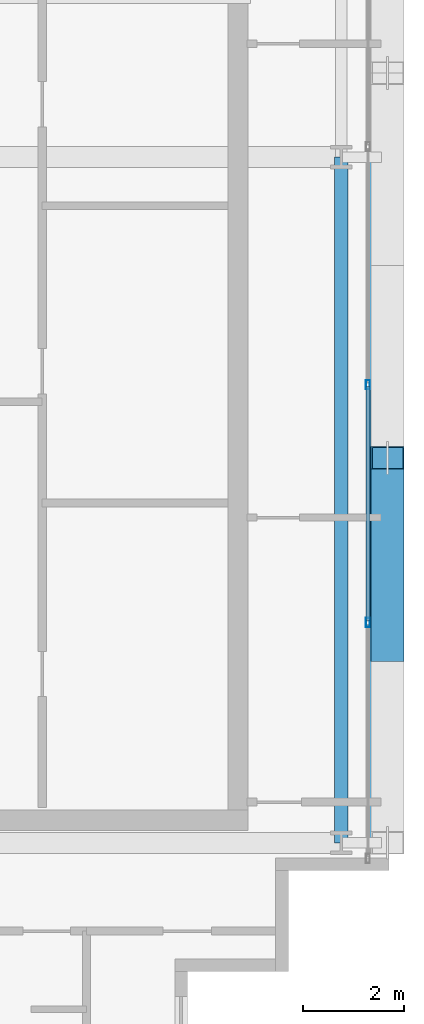
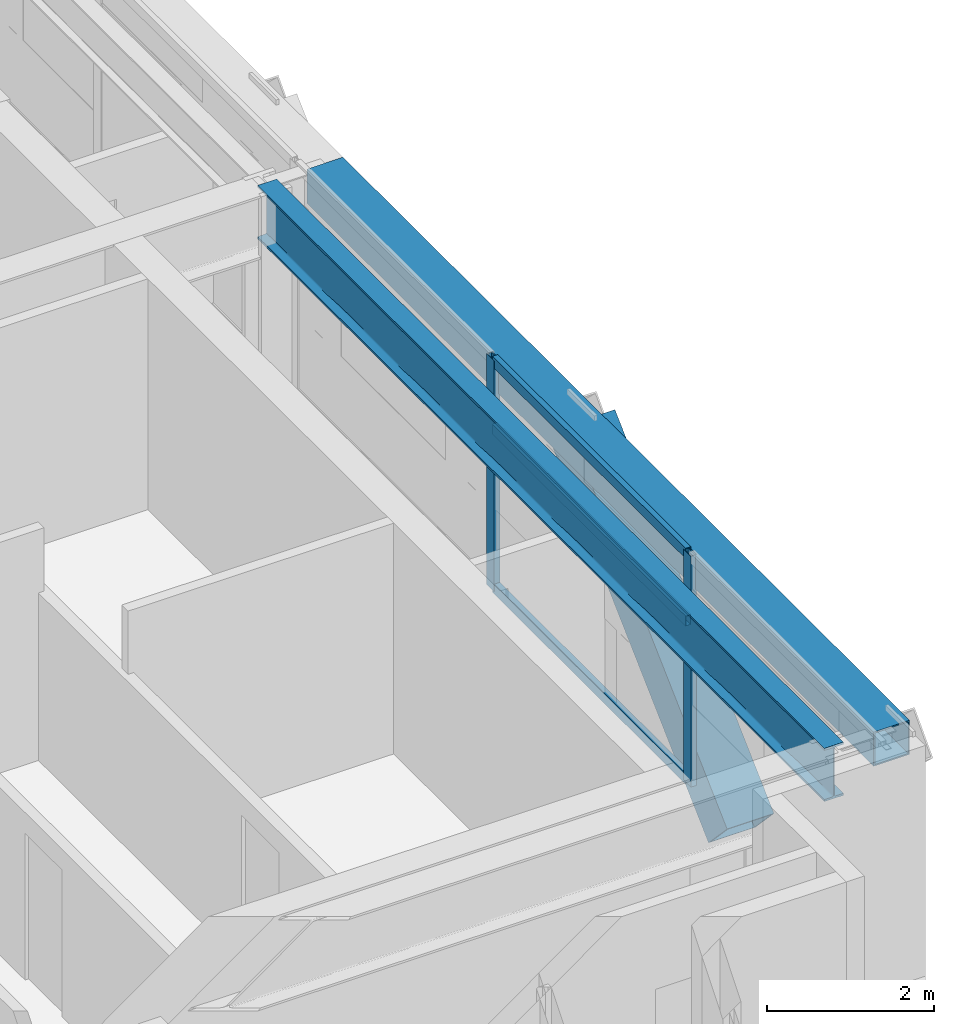
# One storey, part 10 of 28: 6 members, 2 beams, 1 element without a shape of its own.
"""IFC4 building model written with IfcOpenShell, lengths in metres."""

from ifc_helpers import new_model, si_unit, direction, frame, origin, origin_2d, place, context, subcontext, project, spatial, hollow_rectangle, i_section, extrude, source, transform, mapped, material, layer, layer_set, material_profile, profile_set, type_object, element, aggregate, save


model = new_model("IFC4")

# Units and contexts
model_context = context("Model", 3, precision=1e-05, world=origin(), true_north=direction((0.0, 1.0)))
body_context = subcontext(model_context, "Body", "Model", "MODEL_VIEW")
ifc_project = project(units=[si_unit("LENGTHUNIT", "METRE"), si_unit("AREAUNIT", "SQUARE_METRE"), si_unit("VOLUMEUNIT", "CUBIC_METRE"), si_unit("PLANEANGLEUNIT", "RADIAN"), si_unit("MASSUNIT", "GRAM", prefix="KILO")], contexts=[model_context])

# Site, building, storey
site_placement = place(None, origin())
site = spatial("IfcSite", under=ifc_project, at=site_placement, CompositionType="ELEMENT")
building_placement = place(site_placement, origin())
building = spatial("IfcBuilding", under=site, at=building_placement, Name="Ocotamira Hotel", CompositionType="ELEMENT")
storey_placement = place(building_placement, frame((0.0, 0.0, 240.0)))
storey = spatial("IfcBuildingStorey", under=building, at=storey_placement, Name="L60", CompositionType="ELEMENT", Elevation=240.0)

# Beams
ifc_material_1 = material(Name="Steel ASTM A992 Grade 50", Category="steel")
ifc_material_profile_1 = material_profile(ifc_material_1, i_section(OverallWidth=0.26611328125, OverallDepth=0.779052734375, WebThickness=0.0166015625, FlangeThickness=0.030029296875, FilletRadius=0.01806640625, at=origin_2d()), Name="W30X148")
ifc_profile_set_1 = profile_set([ifc_material_profile_1], Name="Steel ASTM A992 Grade 50")
beam_type_1 = type_object("IfcBeamType", Name="BM-GIRD-W30X148", PredefinedType="BEAM", material=ifc_profile_set_1)
shared_shape_1 = source(origin(), body_context, "Body", "SweptSolid", [
    extrude(i_section(OverallWidth=0.26611328125, OverallDepth=0.779052734375, WebThickness=0.0166015625, FlangeThickness=0.030029296875, FilletRadius=0.01806640625, at=origin_2d()), origin(), (0.0, 0.0, 1.0), 13.599853515625),
])
beam_1_placement = place(storey_placement, frame((55.050048828125, 14.550048828125, 2.990478515625), z_axis=(0.0, 1.0, 0.0), x_axis=(-1.0, 0.0, 0.0)))
element("IfcBeam", 1, at=beam_1_placement, inside=storey, type_object=beam_type_1, Name="L60 Beam X55.05 Y14.55-28.15", PredefinedType="BEAM", context=body_context, shape_type="MappedRepresentation", body=[
    mapped(shared_shape_1, transform((0.0, 0.0, 0.0), scale=1.0)),
])
ifc_material_2 = material(Name="Steel ASTM A500 Grade C", Category="steel")
ifc_material_profile_2 = material_profile(ifc_material_2, hollow_rectangle(XDim=0.5, YDim=0.5, WallThickness=0.02001953125, at=origin_2d()), Name="HSS500X500X20")
ifc_profile_set_2 = profile_set([ifc_material_profile_2], Name="Steel ASTM A500 Grade C")
beam_type_2 = type_object("IfcBeamType", Name="BM-SPAN-HSS500", PredefinedType="USERDEFINED", material=ifc_profile_set_2)
shared_shape_2 = source(origin(), body_context, "Body", "SweptSolid", [
    extrude(hollow_rectangle(XDim=0.5, YDim=0.5, WallThickness=0.02001953125, at=origin_2d()), origin(), (0.0, 0.0, 1.0), 13.599853515625),
])
beam_2_placement = place(storey_placement, frame((55.85009765625, 14.550048828125, 3.1298828125), z_axis=(0.0, 1.0, 0.0), x_axis=(-1.0, 0.0, 0.0)))
element("IfcBeam", 2, at=beam_2_placement, inside=storey, type_object=beam_type_2, Name="L60 Edge Spandrel E Y14.55-28.15", ObjectType="SPANDREL", PredefinedType="USERDEFINED", context=body_context, shape_type="MappedRepresentation", body=[
    mapped(shared_shape_2, transform((0.0, 0.0, 0.0), scale=1.0)),
])

# Member
ifc_material_3 = material(Name="Pale-metal coated steel ASTM A913 Grade 65", Category="steel")
ifc_material_profile_3 = material_profile(ifc_material_3, hollow_rectangle(XDim=0.64990234375, YDim=0.64990234375, WallThickness=0.02197265625, at=origin_2d()), Name="BOX650X650X22")
ifc_profile_set_3 = profile_set([ifc_material_profile_3], Name="Pale-metal coated steel ASTM A913 Grade 65")
member_type_1 = type_object("IfcMemberType", Name="MEM-EXO-BOX650", PredefinedType="BRACE", material=ifc_profile_set_3)
shared_shape_3 = source(origin(), body_context, "Body", "SweptSolid", [
    extrude(hollow_rectangle(XDim=0.64990234375, YDim=0.64990234375, WallThickness=0.02197265625, at=origin_2d()), origin(), (0.0, 0.0, 1.0), 5.24658203125),
])
member_1_placement = place(storey_placement, frame((55.969970703125, 18.36669921875, -0.469970703125), z_axis=(0.0, 0.72746596067, 0.686143772154), x_axis=(-1.0, 0.0, 0.0)))
element("IfcMember", 3, at=member_1_placement, inside=storey, type_object=member_type_1, Name="L60 Exoskeleton Diagrid E0.2", PredefinedType="BRACE", context=body_context, shape_type="MappedRepresentation", body=[
    mapped(shared_shape_3, transform((0.0, 0.0, 0.0), scale=1.0)),
])

# Curtain wall, members
ifc_material_4 = material(Name="Anodised pale-metal aluminium and solar glass", Category="aluminium")
ifc_layer = layer(ifc_material_4, 0.239990234375)
ifc_layer_set = layer_set([ifc_layer], Name="Anodised pale-metal aluminium and solar glass")
curtain_wall_type = type_object("IfcCurtainWallType", Name="CW-SYS5-SKY", PredefinedType="NOTDEFINED", material=ifc_layer_set)
curtain_wall_placement = place(storey_placement, origin())
curtain_wall = element("IfcCurtainWall", 4, at=curtain_wall_placement, inside=storey, type_object=curtain_wall_type, Name="L60 Curtain Wall CW-5 CW-L60-E", PredefinedType="NOTDEFINED")
ifc_material_5 = material(Name="Anodised pale-metal aluminium 6063-T6", Category="aluminium")
ifc_material_profile_4 = material_profile(ifc_material_5, hollow_rectangle(XDim=0.080078125, YDim=0.179931640625, WallThickness=0.006103515625, at=origin_2d()), Name="HSS180X80X6")
ifc_profile_set_4 = profile_set([ifc_material_profile_4], Name="Anodised pale-metal aluminium 6063-T6")
member_type_2 = type_object("IfcMemberType", Name="CWM-180X75", PredefinedType="MULLION", material=ifc_profile_set_4)
shared_shape_4 = source(origin(), body_context, "Body", "SweptSolid", [
    extrude(hollow_rectangle(XDim=0.080078125, YDim=0.179931640625, WallThickness=0.006103515625, at=origin_2d()), origin(), (0.0, 0.0, 1.0), 3.3798828125),
])
member_2_placement = place(storey_placement, frame((55.580078125, 18.919921875, 0.0), z_axis=(0.0, 0.0, 1.0), x_axis=(-1.0, 0.0, 0.0)))
member_2 = element("IfcMember", 5, at=member_2_placement, type_object=member_type_2, Name="CW-5 mullion 2", PredefinedType="MULLION", context=body_context, shape_type="MappedRepresentation", body=[
    mapped(shared_shape_4, transform((0.0, 0.0, 0.0), scale=1.0)),
])
member_3_placement = place(storey_placement, frame((55.580078125, 23.639892578125, 0.0), z_axis=(0.0, 0.0, 1.0), x_axis=(-1.0, 0.0, 0.0)))
member_3 = element("IfcMember", 6, at=member_3_placement, type_object=member_type_2, Name="CW-5 mullion 3", PredefinedType="MULLION", context=body_context, shape_type="MappedRepresentation", body=[
    mapped(shared_shape_4, transform((0.0, 0.0, 0.0), scale=1.0)),
])
ifc_material_profile_5 = material_profile(ifc_material_5, hollow_rectangle(XDim=0.074951171875, YDim=0.14990234375, WallThickness=0.006103515625, at=origin_2d()), Name="HSS150X75X6")
ifc_profile_set_5 = profile_set([ifc_material_profile_5], Name="Anodised pale-metal aluminium 6063-T6")
member_type_3 = type_object("IfcMemberType", Name="CWT-150X75", PredefinedType="USERDEFINED", material=ifc_profile_set_5)
shared_shape_5 = source(origin(), body_context, "Body", "SweptSolid", [
    extrude(hollow_rectangle(XDim=0.074951171875, YDim=0.14990234375, WallThickness=0.006103515625, at=origin_2d()), origin(), (0.0, 0.0, 1.0), 4.64013671875),
])
member_4_placement = place(storey_placement, frame((55.580078125, 18.9599609375, 0.03759765625), z_axis=(0.0, 1.0, 0.0), x_axis=(-1.0, 0.0, 0.0)))
member_4 = element("IfcMember", 7, at=member_4_placement, type_object=member_type_3, Name="CW-5 transom 2.1", ObjectType="TRANSOM", PredefinedType="USERDEFINED", context=body_context, shape_type="MappedRepresentation", body=[
    mapped(shared_shape_5, transform((0.0, 0.0, 0.0), scale=1.0)),
])
member_5_placement = place(storey_placement, frame((55.580078125, 18.9599609375, 2.35009765625), z_axis=(0.0, 1.0, 0.0), x_axis=(-1.0, 0.0, 0.0)))
member_5 = element("IfcMember", 8, at=member_5_placement, type_object=member_type_3, Name="CW-5 transom 2.2", ObjectType="TRANSOM", PredefinedType="USERDEFINED", context=body_context, shape_type="MappedRepresentation", body=[
    mapped(shared_shape_5, transform((0.0, 0.0, 0.0), scale=1.0)),
])
member_6_placement = place(storey_placement, frame((55.580078125, 18.9599609375, 3.342529296875), z_axis=(0.0, 1.0, 0.0), x_axis=(-1.0, 0.0, 0.0)))
member_6 = element("IfcMember", 9, at=member_6_placement, type_object=member_type_3, Name="CW-5 transom 2.3", ObjectType="TRANSOM", PredefinedType="USERDEFINED", context=body_context, shape_type="MappedRepresentation", body=[
    mapped(shared_shape_5, transform((0.0, 0.0, 0.0), scale=1.0)),
])
aggregate(curtain_wall, [member_2, member_3, member_4, member_5, member_6])

save(model, "model.ifc")
